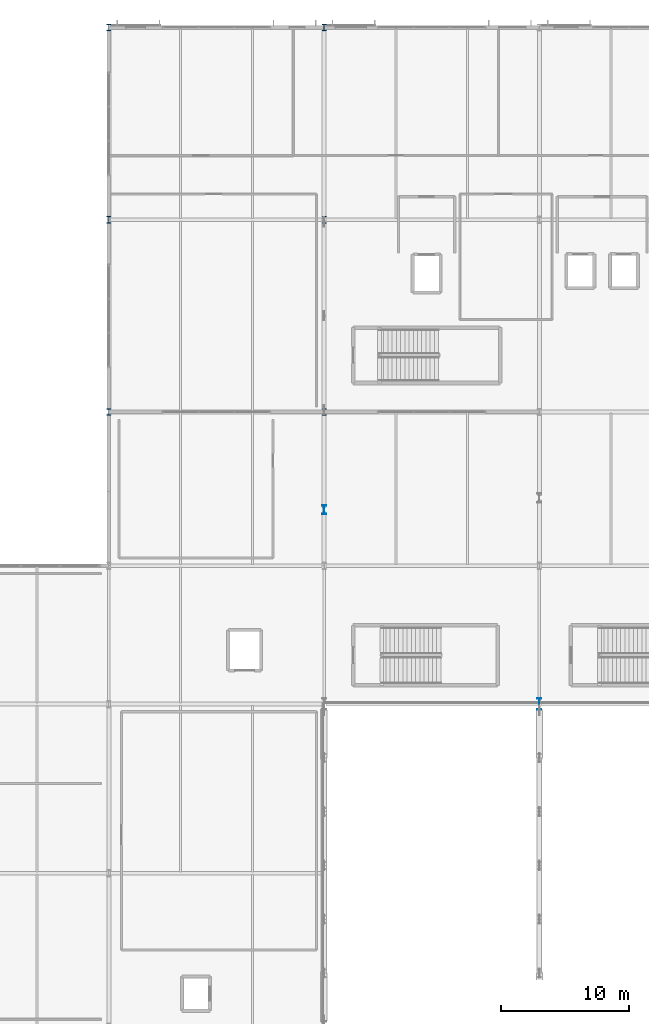
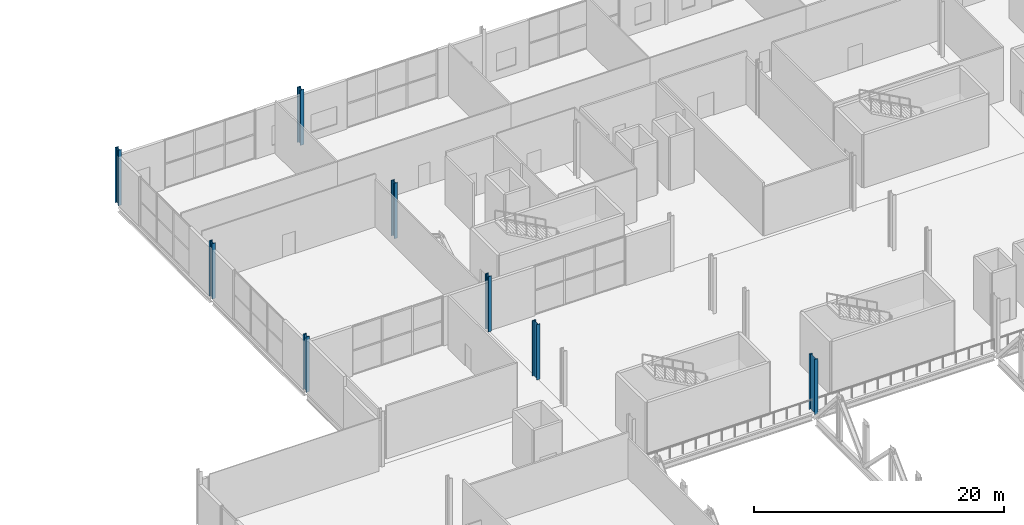
# One storey, part 6 of 84: 8 columns.
"""IFC4 building model written with IfcOpenShell, lengths in metres."""

from ifc_helpers import new_model, si_unit, direction, frame, origin, origin_2d, place, context, subcontext, project, spatial, i_section, extrude, material, material_profile, profile_set, type_object, element, save


model = new_model("IFC4")

# Units and contexts
model_context = context("Model", 3, precision=1e-05, world=origin(), true_north=direction((0.0, 1.0)))
body_context = subcontext(model_context, "Body", "Model", "MODEL_VIEW")
ifc_project = project(units=[si_unit("LENGTHUNIT", "METRE"), si_unit("AREAUNIT", "SQUARE_METRE"), si_unit("VOLUMEUNIT", "CUBIC_METRE"), si_unit("PLANEANGLEUNIT", "RADIAN"), si_unit("MASSUNIT", "GRAM", prefix="KILO")], contexts=[model_context])

# Site, building, storey
site_placement = place(None, origin())
site = spatial("IfcSite", under=ifc_project, at=site_placement, CompositionType="ELEMENT")
building_placement = place(site_placement, origin())
building = spatial("IfcBuilding", under=site, at=building_placement, Name="Kimbaza Rail Terminus", CompositionType="ELEMENT")
storey_placement = place(building_placement, frame((0.0, 0.0, 5.39990234375)))
storey = spatial("IfcBuildingStorey", under=building, at=storey_placement, Name="L01", CompositionType="ELEMENT", Elevation=5.39990234375)

# Columns
ifc_material_1 = material(Name="Steel S355", Category="steel")
ifc_material_profile_1 = material_profile(ifc_material_1, i_section(OverallWidth=0.305908203125, OverallDepth=0.52392578125, WebThickness=0.02099609375, FlangeThickness=0.0400390625, FilletRadius=0.027099609375, at=origin_2d()), Name="HEM 500")
ifc_profile_set_1 = profile_set([ifc_material_profile_1], Name="Steel S355")
column_type_1 = type_object("IfcColumnType", Name="STR-COL-HEM500", PredefinedType="COLUMN", material=ifc_profile_set_1)
for number, where, z_axis, x_axis, name in (
    (1, (55.199951171875, 103.0, 0.0), (0.0, 0.0, 1.0), (1.0, 0.0, 0.0), "Operations Column L01 (0,0)"),
    (2, (55.199951171875, 118.0, 0.0), (0.0, 0.0, 1.0), (1.0, 0.0, 0.0), "Operations Column L01 (0,1)"),
    (3, (55.199951171875, 133.0, 0.0), (0.0, 0.0, 1.0), (1.0, 0.0, 0.0), "Operations Column L01 (0,2)"),
    (4, (72.0, 103.0, 0.0), (0.0, 0.0, 1.0), (1.0, 0.0, 0.0), "Operations Column L01 (1,0)"),
    (5, (72.0, 118.0, 0.0), (0.0, 0.0, 1.0), (1.0, 0.0, 0.0), "Operations Column L01 (1,1)"),
    (6, (72.0, 133.0, 0.0), (0.0, 0.0, 1.0), (1.0, 0.0, 0.0), "Operations Column L01 (1,2)"),
):
    element("IfcColumn", number, at=place(storey_placement, frame(where, z_axis=z_axis, x_axis=x_axis)), inside=storey, type_object=column_type_1, Name=name, PredefinedType="COLUMN", context=body_context, shape_type="SweptSolid", body=[
        extrude(i_section(OverallWidth=0.305908203125, OverallDepth=0.52392578125, WebThickness=0.02099609375, FlangeThickness=0.0400390625, FilletRadius=0.027099609375, at=origin_2d()), origin(), (0.0, 0.0, 1.0), 5.400146484375),
    ])
ifc_material_2 = material(Name="Steel S355", Category="steel")
ifc_material_profile_2 = material_profile(ifc_material_2, i_section(OverallWidth=0.303955078125, OverallDepth=0.716064453125, WebThickness=0.02099609375, FlangeThickness=0.0400390625, FilletRadius=0.027099609375, at=origin_2d()), Name="HEM 700")
ifc_profile_set_2 = profile_set([ifc_material_profile_2], Name="Steel S355")
column_type_2 = type_object("IfcColumnType", Name="STR-COL-HEM700", PredefinedType="COLUMN", material=ifc_profile_set_2)
column_1_placement = place(storey_placement, frame((72.0, 95.375732421875, 0.0), z_axis=(0.0, 0.0, 1.0), x_axis=(1.0, 0.0, 0.0)))
element("IfcColumn", 7, at=column_1_placement, inside=storey, type_object=column_type_2, Name="North Vault Springing Pier L01 VP-04", PredefinedType="COLUMN", context=body_context, shape_type="SweptSolid", body=[
    extrude(i_section(OverallWidth=0.303955078125, OverallDepth=0.716064453125, WebThickness=0.02099609375, FlangeThickness=0.0400390625, FilletRadius=0.027099609375, at=origin_2d()), origin(), (0.0, 0.0, 1.0), 5.400146484375),
])
ifc_material_3 = material(Name="Steel S355", Category="steel")
ifc_material_profile_3 = material_profile(ifc_material_3, i_section(OverallWidth=0.302001953125, OverallDepth=0.909912109375, WebThickness=0.02099609375, FlangeThickness=0.0400390625, FilletRadius=0.030029296875, at=origin_2d()), Name="HEM 900")
ifc_profile_set_3 = profile_set([ifc_material_profile_3], Name="Steel S355")
column_type_3 = type_object("IfcColumnType", Name="STR-COL-HEM900", PredefinedType="COLUMN", material=ifc_profile_set_3)
column_2_placement = place(storey_placement, frame((88.800048828125, 80.199951171875, 0.0), z_axis=(0.0, 0.0, 1.0), x_axis=(1.0, 0.0, 0.0)))
element("IfcColumn", 8, at=column_2_placement, inside=storey, type_object=column_type_3, Name="North Transfer Pier L01 (2,0)", PredefinedType="COLUMN", context=body_context, shape_type="SweptSolid", body=[
    extrude(i_section(OverallWidth=0.302001953125, OverallDepth=0.909912109375, WebThickness=0.02099609375, FlangeThickness=0.0400390625, FilletRadius=0.030029296875, at=origin_2d()), origin(), (0.0, 0.0, 1.0), 5.400146484375),
])

save(model, "model.ifc")
